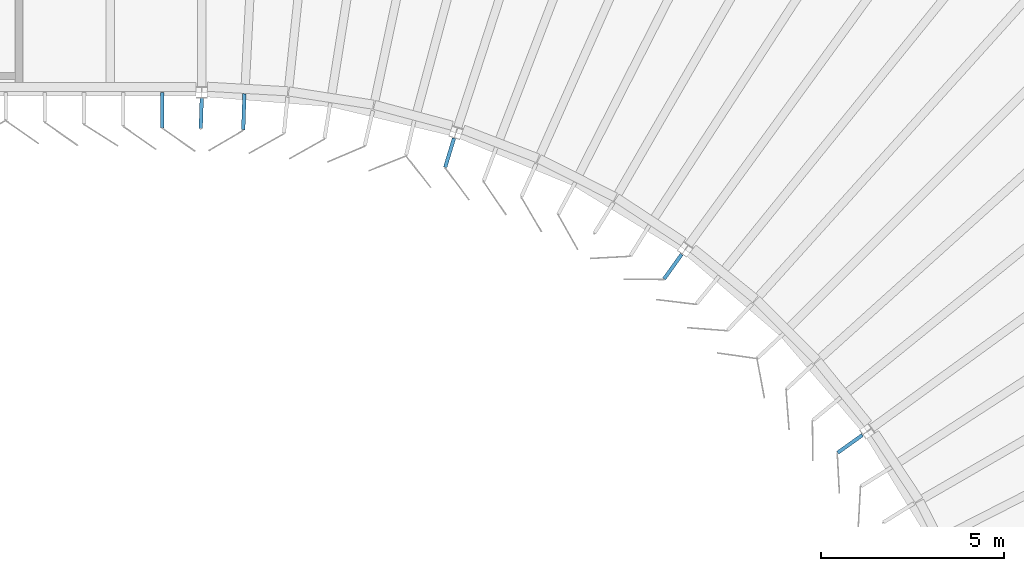
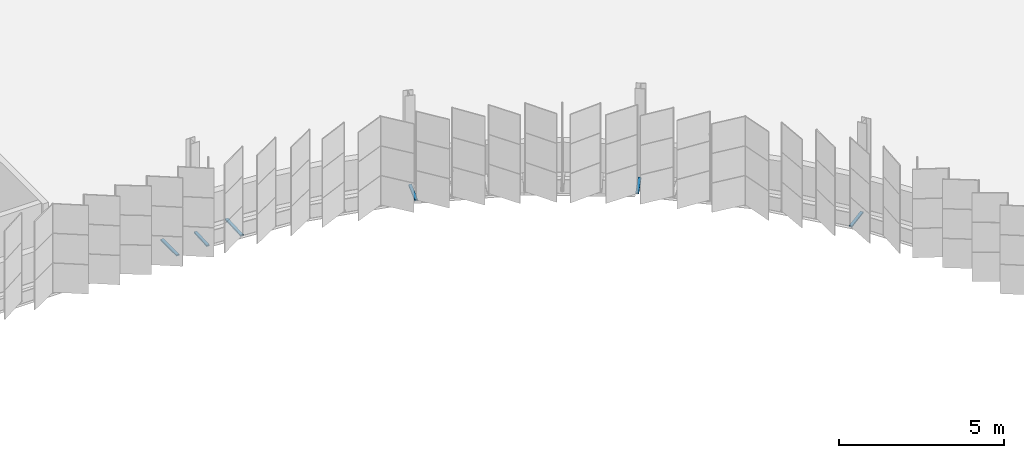
# One storey, part 172 of 199: 6 discrete accessories.
"""IFC4 building model written with IfcOpenShell, lengths in metres."""

from ifc_helpers import new_model, si_unit, direction, frame, origin, origin_2d, place, context, subcontext, project, spatial, rectangle, extrude, material, type_object, element, save


model = new_model("IFC4")

# Units and contexts
model_context = context("Model", 3, precision=1e-05, world=origin(), true_north=direction((0.0, 1.0)))
body_context = subcontext(model_context, "Body", "Model", "MODEL_VIEW")
ifc_project = project(units=[si_unit("LENGTHUNIT", "METRE"), si_unit("AREAUNIT", "SQUARE_METRE"), si_unit("VOLUMEUNIT", "CUBIC_METRE"), si_unit("PLANEANGLEUNIT", "RADIAN"), si_unit("MASSUNIT", "GRAM", prefix="KILO")], contexts=[model_context])

# Site, building, storey
site_placement = place(None, origin())
site = spatial("IfcSite", under=ifc_project, at=site_placement, CompositionType="ELEMENT")
building_placement = place(site_placement, origin())
building = spatial("IfcBuilding", under=site, at=building_placement, Name="Parallax Yard Mobility Hub", CompositionType="ELEMENT")
storey_placement = place(building_placement, frame((0.0, 0.0, 9.89990234375)))
storey = spatial("IfcBuildingStorey", under=building, at=storey_placement, Name="L03", CompositionType="ELEMENT", Elevation=9.89990234375)

# Discrete accessories
ifc_material = material(Name="Steel ASTM A36, hot-dip galvanised", Category="steel")
discrete_accessory_type = type_object("IfcDiscreteAccessoryType", Name="Hinge bracket plate 100x50", PredefinedType="BRACKET", material=ifc_material)
discrete_accessory_1_placement = place(storey_placement, frame((171.423583984375, 112.0166015625, -0.02490234375), z_axis=(0.0, 0.0, 1.0), x_axis=(0.0, -1.0, 0.0)))
element("IfcDiscreteAccessory", 1, at=discrete_accessory_1_placement, inside=storey, type_object=discrete_accessory_type, Name="Hinge bracket plate bay 17.7 level L03", PredefinedType="BRACKET", context=body_context, shape_type="SweptSolid", body=[
    extrude(rectangle(XDim=0.968017578125, YDim=0.10009765625, at=origin_2d()), origin(), (0.0, 0.0, 1.0), 0.050048828125),
])
discrete_accessory_2_placement = place(storey_placement, frame((172.486083984375, 111.929443359375, -0.02490234375), z_axis=(0.0, 0.0, 1.0), x_axis=(-0.032719082822, -0.999464587476, 0.0)))
element("IfcDiscreteAccessory", 2, at=discrete_accessory_2_placement, inside=storey, type_object=discrete_accessory_type, Name="Hinge bracket plate bay 18.1 level L03", PredefinedType="BRACKET", context=body_context, shape_type="SweptSolid", body=[
    extrude(rectangle(XDim=0.82568359375, YDim=0.10009765625, at=origin_2d()), origin(), (0.0, 0.0, 1.0), 0.050048828125),
])
discrete_accessory_3_placement = place(storey_placement, frame((173.651123046875, 111.970458984375, -0.02490234375), z_axis=(0.0, 0.0, 1.0), x_axis=(-0.032719082822, -0.999464587476, 0.0)))
element("IfcDiscreteAccessory", 3, at=discrete_accessory_3_placement, inside=storey, type_object=discrete_accessory_type, Name="Hinge bracket plate bay 18.2 level L03", PredefinedType="BRACKET", context=body_context, shape_type="SweptSolid", body=[
    extrude(rectangle(XDim=0.984130859375, YDim=0.10009765625, at=origin_2d()), origin(), (0.0, 0.0, 1.0), 0.050048828125),
])
discrete_accessory_4_placement = place(storey_placement, frame((179.279296875, 110.847900390625, -0.02490234375), z_axis=(0.0, 0.0, 1.0), x_axis=(-0.290284677254, -0.956940335732, 0.0)))
element("IfcDiscreteAccessory", 4, at=discrete_accessory_4_placement, inside=storey, type_object=discrete_accessory_type, Name="Hinge bracket plate bay 19.1 level L03", PredefinedType="BRACKET", context=body_context, shape_type="SweptSolid", body=[
    extrude(rectangle(XDim=0.82763671875, YDim=0.10009765625, at=origin_2d()), origin(), (0.0, 0.0, 1.0), 0.050048828125),
])
for number, where, z_axis, x_axis, name in (
    (5, (185.3857421875, 107.732177734375, -0.02490234375), (0.0, 0.0, 1.0), (-0.582477696868, -0.812846684592, 0.0), "Hinge bracket plate bay 20.1 level L03"),
    (6, (190.232421875, 102.885498046875, -0.02490234375), (0.0, 0.0, 1.0), (-0.812846684592, -0.582477696868, 0.0), "Hinge bracket plate bay 21.1 level L03"),
):
    element("IfcDiscreteAccessory", number, at=place(storey_placement, frame(where, z_axis=z_axis, x_axis=x_axis)), inside=storey, type_object=discrete_accessory_type, Name=name, PredefinedType="BRACKET", context=body_context, shape_type="SweptSolid", body=[
        extrude(rectangle(XDim=0.82958984375, YDim=0.10009765625, at=origin_2d()), origin(), (0.0, 0.0, 1.0), 0.050048828125),
    ])

save(model, "model.ifc")
